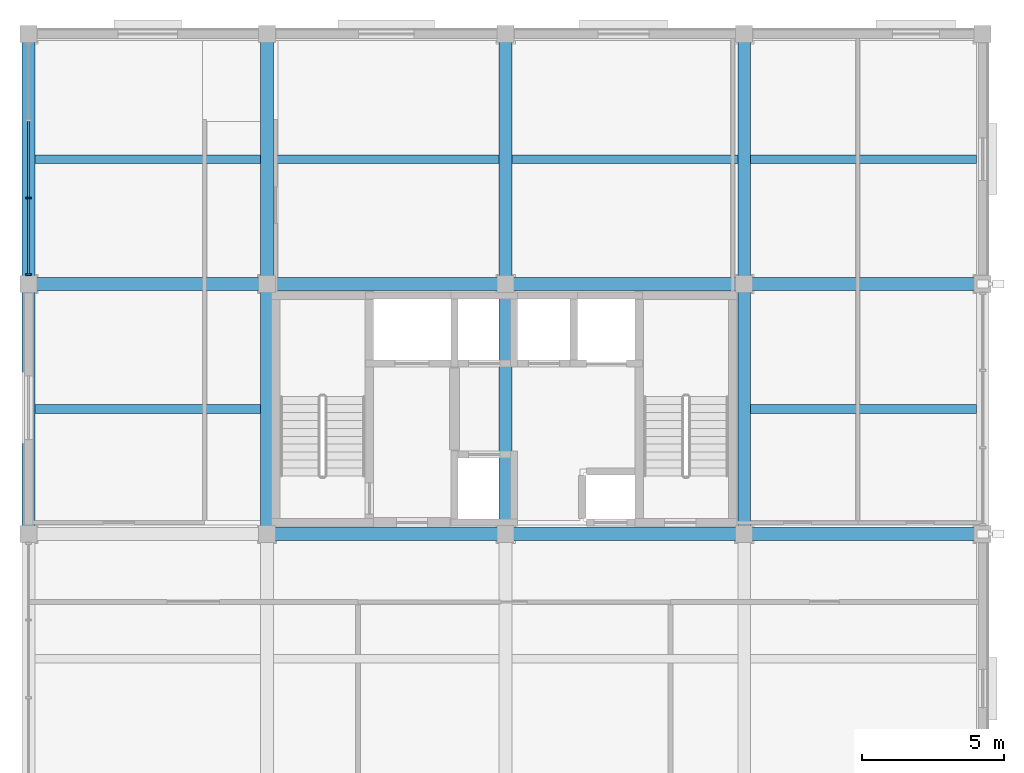
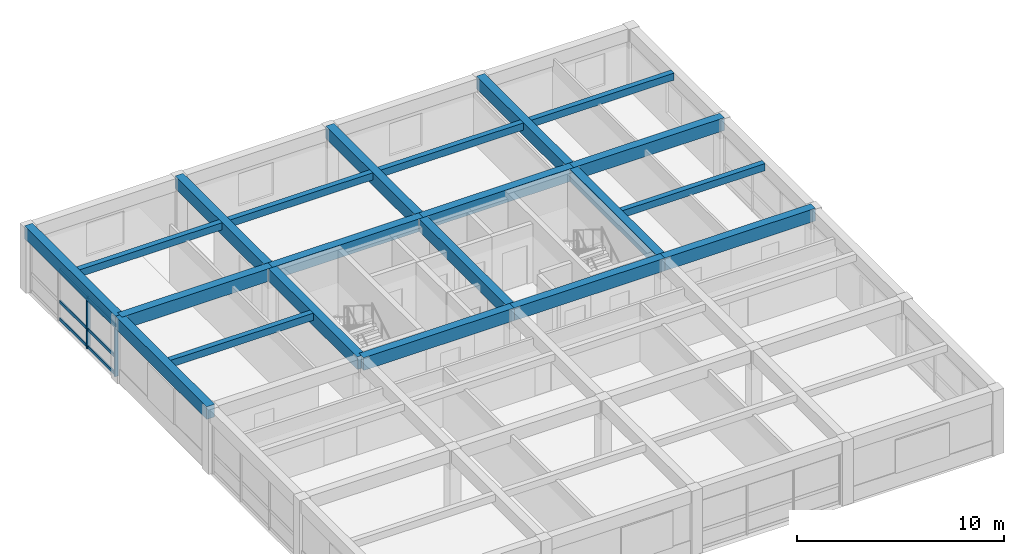
# One storey, part 3 of 12: 21 beams, 8 members, 1 element without a shape of its own.
"""IFC4 building model written with IfcOpenShell, lengths in metres."""

import ifcopenshell
import ifcopenshell.guid

model = None  # the IFC model being written
_history = None  # IfcOwnerHistory: only IFC2X3 demands one
_inside = {}  # id of a spatial element -> (the spatial element, [elements in it])
_under = {}  # id of a project, library or spatial element -> (it, [spatial elements below it])
_declared = {}  # id of a project -> (the project, [libraries it declares])
_typed = {}  # id of a type object -> (the type object, [elements of that type])
_made_of = {}  # id of a material, layer set ... -> (it, [elements and type objects made of it])


def new_model(schema):
    """Start an empty IFC model of exactly this schema.

    Asked for "IFC4X3", IfcOpenShell would pick the latest addendum, in which some entities
    have other attributes; the version numbers below select the first issue.
    IFC2X3 requires an IfcOwnerHistory on every rooted entity: one is made here for all.
    """
    global model, _history
    if schema == "IFC4X3":
        model = ifcopenshell.file(schema_version=(4, 3, 0, 0))
    else:
        model = ifcopenshell.file(schema=schema)
    _inside.clear()
    _under.clear()
    _declared.clear()
    _typed.clear()
    _made_of.clear()
    _history = None
    if model.schema == "IFC2X3":
        org = make("IfcOrganization", Name="unknown")
        user = make(
            "IfcPersonAndOrganization",
            ThePerson=make("IfcPerson", FamilyName="unknown"),
            TheOrganization=org,
        )
        app = make(
            "IfcApplication",
            ApplicationDeveloper=org,
            Version="unknown",
            ApplicationFullName="unknown",
            ApplicationIdentifier="unknown",
        )
        _history = make(
            "IfcOwnerHistory",
            OwningUser=user,
            OwningApplication=app,
            ChangeAction="ADDED",
            CreationDate=0,
        )
    return model


def make(cls, **values):
    """One entity of the class cls with the attributes given. An attribute that is None is left unset."""
    return model.create_entity(
        cls, **{name: value for name, value in values.items() if value is not None}
    )


def rooted(cls, **values):
    """An entity with a GlobalId (a new one), such as an element, a storey or a relation."""
    return make(cls, GlobalId=ifcopenshell.guid.new(), OwnerHistory=_history, **values)


def si_unit(unit_type, name, prefix=None):
    """IfcSIUnit, for example si_unit("LENGTHUNIT", "METRE", prefix="MILLI")."""
    return make("IfcSIUnit", UnitType=unit_type, Prefix=prefix, Name=name)


def assignment(units):
    """IfcUnitAssignment: the units of a project."""
    return None if units is None else make("IfcUnitAssignment", Units=units)


def point(xyz):
    """IfcCartesianPoint."""
    return None if xyz is None else make("IfcCartesianPoint", Coordinates=xyz)


def direction(xyz):
    """IfcDirection."""
    return None if xyz is None else make("IfcDirection", DirectionRatios=xyz)


def frame(location, z_axis=None, x_axis=None):
    """IfcAxis2Placement3D, a coordinate frame: its origin and axes. An axis left out is left unset."""
    return make(
        "IfcAxis2Placement3D",
        Location=point(location),
        Axis=direction(z_axis),
        RefDirection=direction(x_axis),
    )


def frame_2d(location, x_axis=None):
    """IfcAxis2Placement2D, a coordinate frame in the plane: its origin and x axis."""
    return make(
        "IfcAxis2Placement2D", Location=point(location), RefDirection=direction(x_axis)
    )


def origin():
    """The frame at (0, 0, 0) with its axes left unset."""
    return frame((0.0, 0.0, 0.0))


def origin_2d():
    """The frame at (0, 0) in the plane with its x axis left unset."""
    return frame_2d((0.0, 0.0))


def place(relative_to, where):
    """IfcLocalPlacement: puts the frame where relative to a parent placement (None: the world)."""
    return make(
        "IfcLocalPlacement", PlacementRelTo=relative_to, RelativePlacement=where
    )


def context(
    kind, dimensions, precision=None, world=None, true_north=None, identifier=None
):
    """IfcGeometricRepresentationContext, for example the 3D "Model" context."""
    return make(
        "IfcGeometricRepresentationContext",
        ContextIdentifier=identifier,
        ContextType=kind,
        CoordinateSpaceDimension=dimensions,
        Precision=precision,
        WorldCoordinateSystem=world,
        TrueNorth=true_north,
    )


def subcontext(parent, identifier, kind, view, scale=None):
    """IfcGeometricRepresentationSubContext, for example "Body" below "Model"."""
    return make(
        "IfcGeometricRepresentationSubContext",
        ContextIdentifier=identifier,
        ContextType=kind,
        ParentContext=parent,
        TargetScale=scale,
        TargetView=view,
    )


def project(units=None, contexts=None):
    """IfcProject with its units and contexts."""
    return rooted(
        "IfcProject",
        Name="project",
        RepresentationContexts=contexts,
        UnitsInContext=assignment(units),
    )


def spatial(cls, under=None, at=None, **own):
    """A site, building, storey or space (cls), placed at a placement, below another one or the project."""
    s = rooted(cls, ObjectPlacement=at, **own)
    if under is not None:
        _under.setdefault(under.id(), (under, []))[1].append(s)
    return s


def profile(cls, at=None, kind="AREA", **sizes):
    """A parametric profile (cls). Its sizes go by their IFC names, for example OverallWidth=200.0."""
    return make(cls, ProfileType=kind, Position=at, **sizes)


def rectangle(**sizes):
    """IfcRectangleProfileDef."""
    return profile("IfcRectangleProfileDef", **sizes)


def extrude(swept, where, along, depth):
    """IfcExtrudedAreaSolid: the profile swept, set in the frame where, extruded along a direction by depth."""
    return make(
        "IfcExtrudedAreaSolid",
        SweptArea=swept,
        Position=where,
        ExtrudedDirection=direction(along),
        Depth=depth,
    )


def shape(context_of_items, identifier, shape_type, items):
    """IfcShapeRepresentation: the items that make up one representation, for example the "Body"."""
    return make(
        "IfcShapeRepresentation",
        ContextOfItems=context_of_items,
        RepresentationIdentifier=identifier,
        RepresentationType=shape_type,
        Items=items,
    )


def material(Name=None, Category=None):
    """IfcMaterial."""
    return make("IfcMaterial", Name=Name, Category=Category)


def material_profile(
    of_material, cross_section, Name=None, Category=None, Priority=None
):
    """IfcMaterialProfile: a cross section and its material."""
    return make(
        "IfcMaterialProfile",
        Name=Name,
        Material=of_material,
        Profile=cross_section,
        Priority=Priority,
        Category=Category,
    )


def profile_set(profiles, Name=None, composite=None):
    """IfcMaterialProfileSet."""
    return make(
        "IfcMaterialProfileSet",
        Name=Name,
        MaterialProfiles=profiles,
        CompositeProfile=composite,
    )


def made_of(thing, what):
    """Note that an element or type object is made of a material, layer set ...; save() writes the relation."""
    if what is not None:
        _made_of.setdefault(what.id(), (what, []))[1].append(thing)
    return thing


def type_object(cls, material=None, **own):
    """A type object (cls), such as IfcWallType, which elements share."""
    return made_of(rooted(cls, **own), material)


def element(
    cls,
    number,
    at=None,
    inside=None,
    cuts=None,
    type_object=None,
    material=None,
    context=None,
    identifier="Body",
    shape_type=None,
    held_by="IfcProductDefinitionShape",
    body=None,
    shapes=None,
    **own,
):
    """One element of the class cls, such as IfcWall. Its Tag is "e" and its number.

    at: its placement. inside: the storey or other place that contains it. cuts: it is an
    opening in that element (IfcRelVoidsElement). A single representation is given by context,
    identifier, shape_type and body (its items); several are given by shapes. held_by: the class
    of the entity that holds the representations. save() writes the other relations.
    """
    e = rooted(cls, Tag="e%d" % number, ObjectPlacement=at, **own)
    if body is not None:
        shapes = [shape(context, identifier, shape_type, body)]
    if shapes is not None:
        e.Representation = make(held_by, Representations=shapes)
    if inside is not None:
        _inside.setdefault(inside.id(), (inside, []))[1].append(e)
    if cuts is not None:
        rooted(
            "IfcRelVoidsElement", RelatingBuildingElement=cuts, RelatedOpeningElement=e
        )
    if type_object is not None:
        _typed.setdefault(type_object.id(), (type_object, []))[1].append(e)
    return made_of(e, material)


def aggregate(whole, parts):
    """IfcRelAggregates: a whole, such as a stair, and the parts it consists of."""
    return rooted("IfcRelAggregates", RelatingObject=whole, RelatedObjects=parts)


def save(model, path):
    """Write the relations noted so far, then the file.

    IfcRelAggregates (storeys below a building ...), IfcRelContainedInSpatialStructure (elements
    in a storey), IfcRelDefinesByType, IfcRelAssociatesMaterial and IfcRelDeclares: one each for
    every whole, place, type object, material and project.
    """
    for whole, parts in _under.values():
        aggregate(whole, parts)
    for where, things in _inside.values():
        rooted(
            "IfcRelContainedInSpatialStructure",
            RelatedElements=things,
            RelatingStructure=where,
        )
    for kind, things in _typed.values():
        rooted("IfcRelDefinesByType", RelatedObjects=things, RelatingType=kind)
    for what, things in _made_of.values():
        rooted("IfcRelAssociatesMaterial", RelatedObjects=things, RelatingMaterial=what)
    for by, libraries in _declared.values():
        rooted("IfcRelDeclares", RelatingContext=by, RelatedDefinitions=libraries)
    model.write(path)


model = new_model("IFC4")

# Units and contexts
model_context = context("Model", 3, precision=1e-05, world=origin(), true_north=direction((0.0, 1.0)))
body_context = subcontext(model_context, "Body", "Model", "MODEL_VIEW")
ifc_project = project(units=[si_unit("LENGTHUNIT", "METRE"), si_unit("AREAUNIT", "SQUARE_METRE"), si_unit("VOLUMEUNIT", "CUBIC_METRE"), si_unit("PLANEANGLEUNIT", "RADIAN"), si_unit("MASSUNIT", "GRAM", prefix="KILO")], contexts=[model_context])

# Site, building, storey
site_placement = place(None, origin())
site = spatial("IfcSite", under=ifc_project, at=site_placement, CompositionType="ELEMENT")
building_placement = place(site_placement, origin())
building = spatial("IfcBuilding", under=site, at=building_placement, Name="Kemercrest Conservatory and Botanical Centre", CompositionType="ELEMENT")
storey_placement = place(building_placement, frame((0.0, 0.0, 52.199951171875)))
storey = spatial("IfcBuildingStorey", under=building, at=storey_placement, Name="L13", CompositionType="ELEMENT", Elevation=52.199951171875)

# Beams
ifc_material_1 = material(Name="Concrete C40/50", Category="concrete")
ifc_material_profile_1 = material_profile(ifc_material_1, rectangle(XDim=0.449951171875, YDim=0.75, at=origin_2d()), Name="RC 450x750")
ifc_profile_set_1 = profile_set([ifc_material_profile_1], Name="Concrete C40/50")
beam_type_1 = type_object("IfcBeamType", Name="BM-RC75", PredefinedType="BEAM", material=ifc_profile_set_1)
beam_1_placement = place(storey_placement, frame((150.800048828125, 104.800048828125, 3.425048828125), z_axis=(1.0, 0.0, 0.0), x_axis=(0.0, 1.0, 0.0)))
element("IfcBeam", 1, at=beam_1_placement, inside=storey, type_object=beam_type_1, Name="V4-L14 beam BM-RC75 M/18-19", PredefinedType="BEAM", context=body_context, shape_type="SweptSolid", body=[
    extrude(rectangle(XDim=0.449951171875, YDim=0.75, at=origin_2d()), origin(), (0.0, 0.0, 1.0), 8.39990234375),
])
beam_2_placement = place(storey_placement, frame((159.199951171875, 104.800048828125, 3.425048828125), z_axis=(1.0, 0.0, 0.0), x_axis=(0.0, 1.0, 0.0)))
element("IfcBeam", 2, at=beam_2_placement, inside=storey, type_object=beam_type_1, Name="V4-L14 beam BM-RC75 M/19-20", PredefinedType="BEAM", context=body_context, shape_type="SweptSolid", body=[
    extrude(rectangle(XDim=0.449951171875, YDim=0.75, at=origin_2d()), origin(), (0.0, 0.0, 1.0), 8.400146484375),
])
beam_3_placement = place(storey_placement, frame((167.60009765625, 104.800048828125, 3.425048828125), z_axis=(1.0, 0.0, 0.0), x_axis=(0.0, 1.0, 0.0)))
element("IfcBeam", 3, at=beam_3_placement, inside=storey, type_object=beam_type_1, Name="V4-L14 beam BM-RC75 M/20-21", PredefinedType="BEAM", context=body_context, shape_type="SweptSolid", body=[
    extrude(rectangle(XDim=0.449951171875, YDim=0.75, at=origin_2d()), origin(), (0.0, 0.0, 1.0), 8.39990234375),
])
beam_4_placement = place(storey_placement, frame((142.39990234375, 113.60009765625, 3.425048828125), z_axis=(1.0, 0.0, 0.0), x_axis=(0.0, 1.0, 0.0)))
element("IfcBeam", 4, at=beam_4_placement, inside=storey, type_object=beam_type_1, Name="V4-L14 beam BM-RC75 N/17-18", PredefinedType="BEAM", context=body_context, shape_type="SweptSolid", body=[
    extrude(rectangle(XDim=0.449951171875, YDim=0.75, at=origin_2d()), origin(), (0.0, 0.0, 1.0), 8.400146484375),
])
beam_5_placement = place(storey_placement, frame((150.800048828125, 113.60009765625, 3.425048828125), z_axis=(1.0, 0.0, 0.0), x_axis=(0.0, 1.0, 0.0)))
element("IfcBeam", 5, at=beam_5_placement, inside=storey, type_object=beam_type_1, Name="V4-L14 beam BM-RC75 N/18-19", PredefinedType="BEAM", context=body_context, shape_type="SweptSolid", body=[
    extrude(rectangle(XDim=0.449951171875, YDim=0.75, at=origin_2d()), origin(), (0.0, 0.0, 1.0), 8.39990234375),
])
beam_6_placement = place(storey_placement, frame((159.199951171875, 113.60009765625, 3.425048828125), z_axis=(1.0, 0.0, 0.0), x_axis=(0.0, 1.0, 0.0)))
element("IfcBeam", 6, at=beam_6_placement, inside=storey, type_object=beam_type_1, Name="V4-L14 beam BM-RC75 N/19-20", PredefinedType="BEAM", context=body_context, shape_type="SweptSolid", body=[
    extrude(rectangle(XDim=0.449951171875, YDim=0.75, at=origin_2d()), origin(), (0.0, 0.0, 1.0), 8.400146484375),
])
beam_7_placement = place(storey_placement, frame((167.60009765625, 113.60009765625, 3.425048828125), z_axis=(1.0, 0.0, 0.0), x_axis=(0.0, 1.0, 0.0)))
element("IfcBeam", 7, at=beam_7_placement, inside=storey, type_object=beam_type_1, Name="V4-L14 beam BM-RC75 N/20-21", PredefinedType="BEAM", context=body_context, shape_type="SweptSolid", body=[
    extrude(rectangle(XDim=0.449951171875, YDim=0.75, at=origin_2d()), origin(), (0.0, 0.0, 1.0), 8.39990234375),
])
beam_8_placement = place(storey_placement, frame((150.800048828125, 104.800048828125, 3.425048828125), z_axis=(0.0, 1.0, 0.0), x_axis=(-1.0, 0.0, 0.0)))
element("IfcBeam", 8, at=beam_8_placement, inside=storey, type_object=beam_type_1, Name="V4-L14 beam BM-RC75 18/M-N", PredefinedType="BEAM", context=body_context, shape_type="SweptSolid", body=[
    extrude(rectangle(XDim=0.449951171875, YDim=0.75, at=origin_2d()), origin(), (0.0, 0.0, 1.0), 8.800048828125),
])
beam_9_placement = place(storey_placement, frame((150.800048828125, 113.60009765625, 3.425048828125), z_axis=(0.0, 1.0, 0.0), x_axis=(-1.0, 0.0, 0.0)))
element("IfcBeam", 9, at=beam_9_placement, inside=storey, type_object=beam_type_1, Name="V4-L14 beam BM-RC75 18/N-P", PredefinedType="BEAM", context=body_context, shape_type="SweptSolid", body=[
    extrude(rectangle(XDim=0.449951171875, YDim=0.75, at=origin_2d()), origin(), (0.0, 0.0, 1.0), 8.7998046875),
])
beam_10_placement = place(storey_placement, frame((159.199951171875, 104.800048828125, 3.425048828125), z_axis=(0.0, 1.0, 0.0), x_axis=(-1.0, 0.0, 0.0)))
element("IfcBeam", 10, at=beam_10_placement, inside=storey, type_object=beam_type_1, Name="V4-L14 beam BM-RC75 19/M-N", PredefinedType="BEAM", context=body_context, shape_type="SweptSolid", body=[
    extrude(rectangle(XDim=0.449951171875, YDim=0.75, at=origin_2d()), origin(), (0.0, 0.0, 1.0), 8.800048828125),
])
beam_11_placement = place(storey_placement, frame((159.199951171875, 113.60009765625, 3.425048828125), z_axis=(0.0, 1.0, 0.0), x_axis=(-1.0, 0.0, 0.0)))
element("IfcBeam", 11, at=beam_11_placement, inside=storey, type_object=beam_type_1, Name="V4-L14 beam BM-RC75 19/N-P", PredefinedType="BEAM", context=body_context, shape_type="SweptSolid", body=[
    extrude(rectangle(XDim=0.449951171875, YDim=0.75, at=origin_2d()), origin(), (0.0, 0.0, 1.0), 8.7998046875),
])
beam_12_placement = place(storey_placement, frame((167.60009765625, 104.800048828125, 3.425048828125), z_axis=(0.0, 1.0, 0.0), x_axis=(-1.0, 0.0, 0.0)))
element("IfcBeam", 12, at=beam_12_placement, inside=storey, type_object=beam_type_1, Name="V4-L14 beam BM-RC75 20/M-N", PredefinedType="BEAM", context=body_context, shape_type="SweptSolid", body=[
    extrude(rectangle(XDim=0.449951171875, YDim=0.75, at=origin_2d()), origin(), (0.0, 0.0, 1.0), 8.800048828125),
])
beam_13_placement = place(storey_placement, frame((167.60009765625, 113.60009765625, 3.425048828125), z_axis=(0.0, 1.0, 0.0), x_axis=(-1.0, 0.0, 0.0)))
element("IfcBeam", 13, at=beam_13_placement, inside=storey, type_object=beam_type_1, Name="V4-L14 beam BM-RC75 20/N-P", PredefinedType="BEAM", context=body_context, shape_type="SweptSolid", body=[
    extrude(rectangle(XDim=0.449951171875, YDim=0.75, at=origin_2d()), origin(), (0.0, 0.0, 1.0), 8.7998046875),
])

# Curtain wall, members
ifc_material_2 = material(Name="Thermally broken aluminium and triple low-e glazing", Category="aluminium")
curtain_wall_type = type_object("IfcCurtainWallType", Name="CW-18", PredefinedType="USERDEFINED", material=ifc_material_2)
curtain_wall_placement = place(storey_placement, origin())
curtain_wall = element("IfcCurtainWall", 14, at=curtain_wall_placement, inside=storey, type_object=curtain_wall_type, Name="Unitised curtain wall CW-18 (CW:L13:V4-137)", ObjectType="UNITISED CURTAIN WALL", PredefinedType="USERDEFINED")
ifc_material_3 = material(Name="Thermally broken anodized aluminium 6063-T6", Category="aluminium")
ifc_material_profile_2 = material_profile(ifc_material_3, rectangle(XDim=0.199951171875, YDim=0.06494140625, at=origin_2d()), Name="AL MULLION 65x200")
ifc_profile_set_2 = profile_set([ifc_material_profile_2], Name="Thermally broken anodized aluminium 6063-T6")
member_type_1 = type_object("IfcMemberType", Name="CW-M200", PredefinedType="MULLION", material=ifc_profile_set_2)
member_1_placement = place(storey_placement, frame((142.39990234375, 116.631591796875, 0.0), z_axis=(0.0, 0.0, 1.0), x_axis=(1.0, 0.0, 0.0)))
member_1 = element("IfcMember", 15, at=member_1_placement, type_object=member_type_1, Name="CW-18 mullion 3", PredefinedType="MULLION", context=body_context, shape_type="SweptSolid", body=[
    extrude(rectangle(XDim=0.199951171875, YDim=0.06494140625, at=origin_2d()), origin(), (0.0, 0.0, 1.0), 3.054931640625),
])
member_2_placement = place(storey_placement, frame((142.39990234375, 113.927490234375, 0.0), z_axis=(0.0, 0.0, 1.0), x_axis=(1.0, 0.0, 0.0)))
member_2 = element("IfcMember", 16, at=member_2_placement, type_object=member_type_1, Name="CW-18 mullion 4", PredefinedType="MULLION", context=body_context, shape_type="SweptSolid", body=[
    extrude(rectangle(XDim=0.199951171875, YDim=0.06494140625, at=origin_2d()), origin(), (0.0, 0.0, 1.0), 3.054931640625),
])
ifc_material_profile_3 = material_profile(ifc_material_3, rectangle(XDim=0.074951171875, YDim=0.179931640625, at=origin_2d()), Name="AL TRANSOM 75x180")
ifc_profile_set_3 = profile_set([ifc_material_profile_3], Name="Thermally broken anodized aluminium 6063-T6")
member_type_2 = type_object("IfcMemberType", Name="CW-T180", PredefinedType="USERDEFINED", material=ifc_profile_set_3)
member_3_placement = place(storey_placement, frame((142.39990234375, 119.3359375, 0.090087890625), z_axis=(0.0, -1.0, 0.0), x_axis=(1.0, 0.0, 0.0)))
member_3 = element("IfcMember", 17, at=member_3_placement, type_object=member_type_2, Name="CW-18 transom 2.1", ObjectType="TRANSOM", PredefinedType="USERDEFINED", context=body_context, shape_type="SweptSolid", body=[
    extrude(rectangle(XDim=0.074951171875, YDim=0.179931640625, at=origin_2d()), origin(), (0.0, 0.0, 1.0), 2.671875),
])
member_4_placement = place(storey_placement, frame((142.39990234375, 119.3359375, 1.1201171875), z_axis=(0.0, -1.0, 0.0), x_axis=(1.0, 0.0, 0.0)))
member_4 = element("IfcMember", 18, at=member_4_placement, type_object=member_type_2, Name="CW-18 transom 2.2", ObjectType="TRANSOM", PredefinedType="USERDEFINED", context=body_context, shape_type="SweptSolid", body=[
    extrude(rectangle(XDim=0.074951171875, YDim=0.179931640625, at=origin_2d()), origin(), (0.0, 0.0, 1.0), 2.671875),
])
member_5_placement = place(storey_placement, frame((142.39990234375, 119.3359375, 2.965087890625), z_axis=(0.0, -1.0, 0.0), x_axis=(1.0, 0.0, 0.0)))
member_5 = element("IfcMember", 19, at=member_5_placement, type_object=member_type_2, Name="CW-18 transom 2.3", ObjectType="TRANSOM", PredefinedType="USERDEFINED", context=body_context, shape_type="SweptSolid", body=[
    extrude(rectangle(XDim=0.074951171875, YDim=0.179931640625, at=origin_2d()), origin(), (0.0, 0.0, 1.0), 2.671875),
])
member_6_placement = place(storey_placement, frame((142.39990234375, 116.59912109375, 0.090087890625), z_axis=(0.0, -1.0, 0.0), x_axis=(1.0, 0.0, 0.0)))
member_6 = element("IfcMember", 20, at=member_6_placement, type_object=member_type_2, Name="CW-18 transom 3.1", ObjectType="TRANSOM", PredefinedType="USERDEFINED", context=body_context, shape_type="SweptSolid", body=[
    extrude(rectangle(XDim=0.074951171875, YDim=0.179931640625, at=origin_2d()), origin(), (0.0, 0.0, 1.0), 2.63916015625),
])
member_7_placement = place(storey_placement, frame((142.39990234375, 116.59912109375, 1.1201171875), z_axis=(0.0, -1.0, 0.0), x_axis=(1.0, 0.0, 0.0)))
member_7 = element("IfcMember", 21, at=member_7_placement, type_object=member_type_2, Name="CW-18 transom 3.2", ObjectType="TRANSOM", PredefinedType="USERDEFINED", context=body_context, shape_type="SweptSolid", body=[
    extrude(rectangle(XDim=0.074951171875, YDim=0.179931640625, at=origin_2d()), origin(), (0.0, 0.0, 1.0), 2.63916015625),
])
member_8_placement = place(storey_placement, frame((142.39990234375, 116.59912109375, 2.965087890625), z_axis=(0.0, -1.0, 0.0), x_axis=(1.0, 0.0, 0.0)))
member_8 = element("IfcMember", 22, at=member_8_placement, type_object=member_type_2, Name="CW-18 transom 3.3", ObjectType="TRANSOM", PredefinedType="USERDEFINED", context=body_context, shape_type="SweptSolid", body=[
    extrude(rectangle(XDim=0.074951171875, YDim=0.179931640625, at=origin_2d()), origin(), (0.0, 0.0, 1.0), 2.63916015625),
])
aggregate(curtain_wall, [member_1, member_2, member_3, member_4, member_5, member_6, member_7, member_8])

# Beams
ifc_material_profile_4 = material_profile(ifc_material_1, rectangle(XDim=0.300048828125, YDim=0.419921875, at=origin_2d()), Name="RC 300x420")
ifc_profile_set_4 = profile_set([ifc_material_profile_4], Name="Concrete C40/50")
beam_type_2 = type_object("IfcBeamType", Name="JS-RC42", PredefinedType="JOIST", material=ifc_profile_set_4)
for number, where, z_axis, x_axis, name in (
    (23, (142.625, 109.199951171875, 3.590087890625), (1.0, 0.0, 0.0), (0.0, 1.0, 0.0), "V4-L14 secondary joist JS-RC42"),
    (24, (167.824951171875, 109.199951171875, 3.590087890625), (1.0, 0.0, 0.0), (0.0, 1.0, 0.0), "V4-L14 secondary joist JS-RC42"),
    (25, (142.625, 118.0, 3.590087890625), (1.0, 0.0, 0.0), (0.0, 1.0, 0.0), "V4-L14 secondary joist JS-RC42"),
):
    element("IfcBeam", number, at=place(storey_placement, frame(where, z_axis=z_axis, x_axis=x_axis)), inside=storey, type_object=beam_type_2, Name=name, PredefinedType="JOIST", context=body_context, shape_type="SweptSolid", body=[
        extrude(rectangle(XDim=0.300048828125, YDim=0.419921875, at=origin_2d()), origin(), (0.0, 0.0, 1.0), 7.949951171875),
    ])
beam_14_placement = place(storey_placement, frame((151.02490234375, 118.0, 3.590087890625), z_axis=(1.0, 0.0, 0.0), x_axis=(0.0, 1.0, 0.0)))
element("IfcBeam", 26, at=beam_14_placement, inside=storey, type_object=beam_type_2, Name="V4-L14 secondary joist JS-RC42", PredefinedType="JOIST", context=body_context, shape_type="SweptSolid", body=[
    extrude(rectangle(XDim=0.300048828125, YDim=0.419921875, at=origin_2d()), origin(), (0.0, 0.0, 1.0), 7.9501953125),
])
for number, where, z_axis, x_axis, name in (
    (27, (159.425048828125, 118.0, 3.590087890625), (1.0, 0.0, 0.0), (0.0, 1.0, 0.0), "V4-L14 secondary joist JS-RC42"),
    (28, (167.824951171875, 118.0, 3.590087890625), (1.0, 0.0, 0.0), (0.0, 1.0, 0.0), "V4-L14 secondary joist JS-RC42"),
):
    element("IfcBeam", number, at=place(storey_placement, frame(where, z_axis=z_axis, x_axis=x_axis)), inside=storey, type_object=beam_type_2, Name=name, PredefinedType="JOIST", context=body_context, shape_type="SweptSolid", body=[
        extrude(rectangle(XDim=0.300048828125, YDim=0.419921875, at=origin_2d()), origin(), (0.0, 0.0, 1.0), 7.949951171875),
    ])
ifc_material_profile_5 = material_profile(ifc_material_1, rectangle(XDim=0.449951171875, YDim=0.75, at=origin_2d()), Name="RC 450x750")
ifc_profile_set_5 = profile_set([ifc_material_profile_5], Name="Concrete C40/50")
beam_type_3 = type_object("IfcBeamType", Name="SP-RC75", PredefinedType="SPANDREL", material=ifc_profile_set_5)
beam_15_placement = place(storey_placement, frame((142.39990234375, 104.800048828125, 3.425048828125), z_axis=(0.0, 1.0, 0.0), x_axis=(-1.0, 0.0, 0.0)))
element("IfcBeam", 29, at=beam_15_placement, inside=storey, type_object=beam_type_3, Name="V4-L14 beam SP-RC75 17/M-N", PredefinedType="SPANDREL", context=body_context, shape_type="SweptSolid", body=[
    extrude(rectangle(XDim=0.449951171875, YDim=0.75, at=origin_2d()), origin(), (0.0, 0.0, 1.0), 8.800048828125),
])
beam_16_placement = place(storey_placement, frame((142.39990234375, 113.60009765625, 3.425048828125), z_axis=(0.0, 1.0, 0.0), x_axis=(-1.0, 0.0, 0.0)))
element("IfcBeam", 30, at=beam_16_placement, inside=storey, type_object=beam_type_3, Name="V4-L14 beam SP-RC75 17/N-P", PredefinedType="SPANDREL", context=body_context, shape_type="SweptSolid", body=[
    extrude(rectangle(XDim=0.449951171875, YDim=0.75, at=origin_2d()), origin(), (0.0, 0.0, 1.0), 8.7998046875),
])

save(model, "model.ifc")
